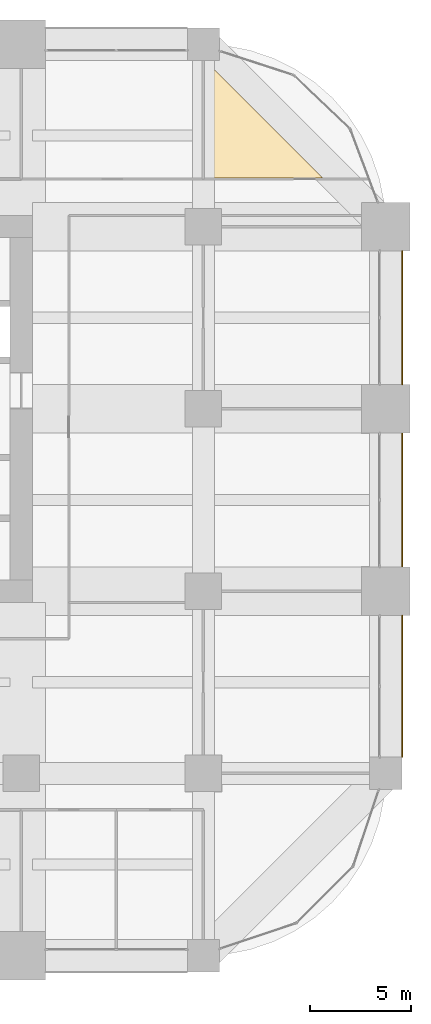
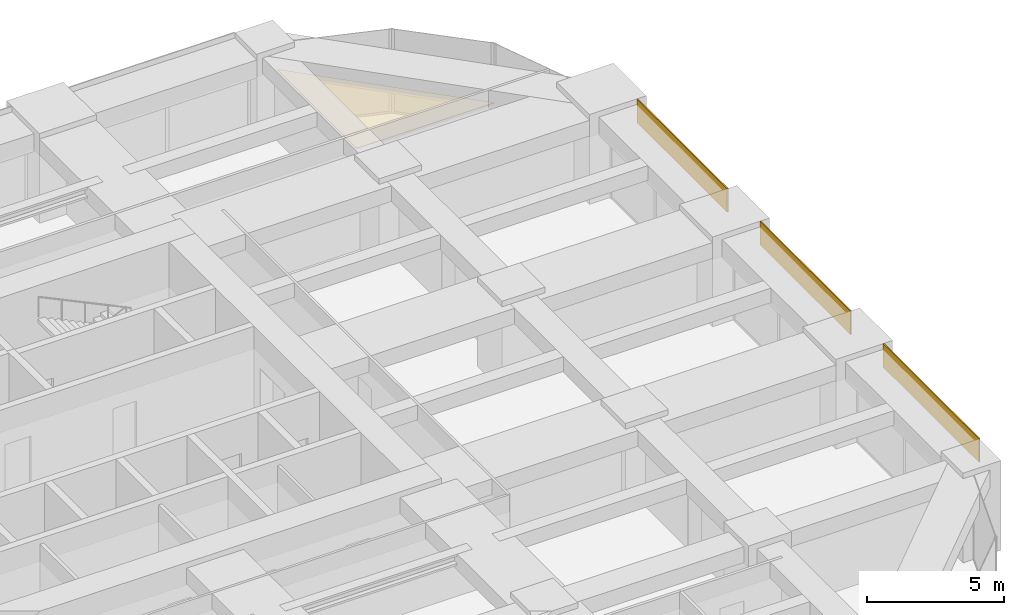
# One storey, part 43 of 43: 4 coverings.
"""IFC4 building model written with IfcOpenShell, lengths in metres."""

from ifc_helpers import new_model, si_unit, direction, frame, frame_2d, origin, place, context, subcontext, project, spatial, polyline, rectangle, outline, extrude, material, layer, layer_set, type_object, element, save


model = new_model("IFC4")

# Units and contexts
model_context = context("Model", 3, precision=1e-05, world=origin(), true_north=direction((0.0, 1.0)))
body_context = subcontext(model_context, "Body", "Model", "MODEL_VIEW")
ifc_project = project(units=[si_unit("LENGTHUNIT", "METRE"), si_unit("AREAUNIT", "SQUARE_METRE"), si_unit("VOLUMEUNIT", "CUBIC_METRE"), si_unit("PLANEANGLEUNIT", "RADIAN"), si_unit("MASSUNIT", "GRAM", prefix="KILO")], contexts=[model_context])

# Site, building, storey
site_placement = place(None, origin())
site = spatial("IfcSite", under=ifc_project, at=site_placement, CompositionType="ELEMENT")
building_placement = place(site_placement, origin())
building = spatial("IfcBuilding", under=site, at=building_placement, Name="Zorevar Civic Tower", CompositionType="ELEMENT")
storey_placement = place(building_placement, frame((0.0, 0.0, 145.0)))
storey = spatial("IfcBuildingStorey", under=building, at=storey_placement, Name="L35", CompositionType="ELEMENT", Elevation=145.0)

# Coverings
ifc_material_1 = material(Name="Black anodised aluminium spandrel panel", Category="aluminium")
ifc_layer_1 = layer(ifc_material_1, 0.050048828125)
ifc_layer_set_1 = layer_set([ifc_layer_1], Name="Spandrel cladding SP1")
covering_type_1 = type_object("IfcCoveringType", Name="Spandrel cladding SP1", PredefinedType="CLADDING", material=ifc_layer_set_1)
covering_1_placement = place(storey_placement, frame((63.824951171875, 9.800048828125, 2.949951171875), z_axis=(0.0, 0.0, 1.0), x_axis=(0.0, 1.0, 0.0)))
element("IfcCovering", 1, at=covering_1_placement, inside=storey, type_object=covering_type_1, Name="Spandrel cladding L36", PredefinedType="CLADDING", context=body_context, shape_type="SweptSolid", body=[
    extrude(rectangle(XDim=7.0, YDim=0.050048828125, at=frame_2d((3.5, 0.0))), origin(), (0.0, 0.0, 1.0), 1.050048828125),
])
for number, where, z_axis, x_axis, name in (
    (2, (63.824951171875, 19.199951171875, 2.949951171875), (0.0, 0.0, 1.0), (0.0, 1.0, 0.0), "Spandrel cladding L36"),
    (3, (63.824951171875, 28.199951171875, 2.949951171875), (0.0, 0.0, 1.0), (0.0, 1.0, 0.0), "Spandrel cladding L36"),
):
    element("IfcCovering", number, at=place(storey_placement, frame(where, z_axis=z_axis, x_axis=x_axis)), inside=storey, type_object=covering_type_1, Name=name, PredefinedType="CLADDING", context=body_context, shape_type="SweptSolid", body=[
        extrude(rectangle(XDim=6.60009765625, YDim=0.050048828125, at=frame_2d((3.300048828125, 0.0))), origin(), (0.0, 0.0, 1.0), 1.050048828125),
    ])
ifc_material_2 = material(Name="Mineral fibre tiles on a concealed grid")
ifc_layer_2 = layer(ifc_material_2, 0.02001953125)
ifc_layer_set_2 = layer_set([ifc_layer_2], Name="Suspended ceiling SC1")
covering_type_2 = type_object("IfcCoveringType", Name="Suspended ceiling SC1", PredefinedType="CEILING", material=ifc_layer_set_2)
covering_2_placement = place(storey_placement, frame((0.0, 0.0, 3.0)))
element("IfcCovering", 4, at=covering_2_placement, inside=storey, type_object=covering_type_2, Name="Ceiling L35-39", PredefinedType="CEILING", context=body_context, shape_type="SweptSolid", body=[
    extrude(outline(polyline([(54.06005859375, 38.39990234375), (54.06005859375, 44.18994140625), (54.102783203125, 44.18994140625), (59.892822265625, 38.39990234375), (54.06005859375, 38.39990234375)])), origin(), (0.0, 0.0, 1.0), 0.02001953125),
])

save(model, "model.ifc")
